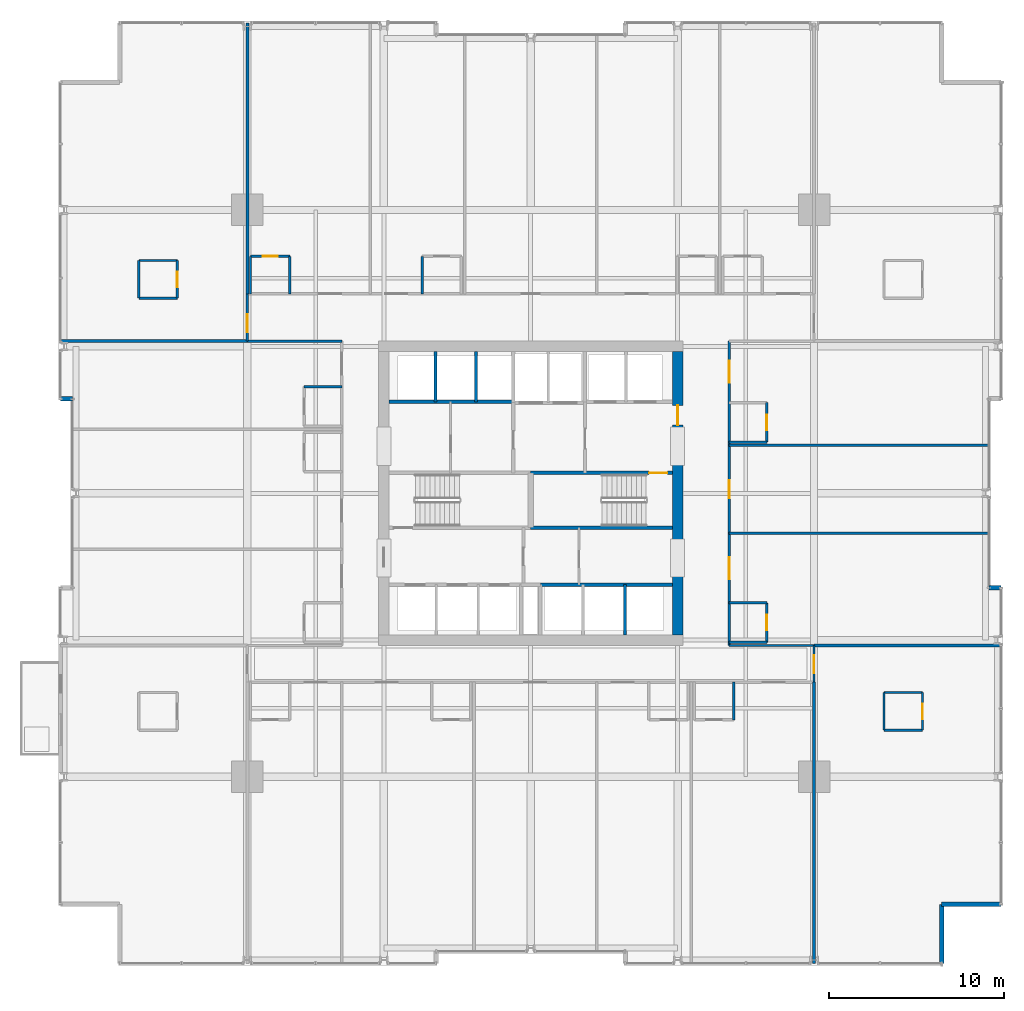
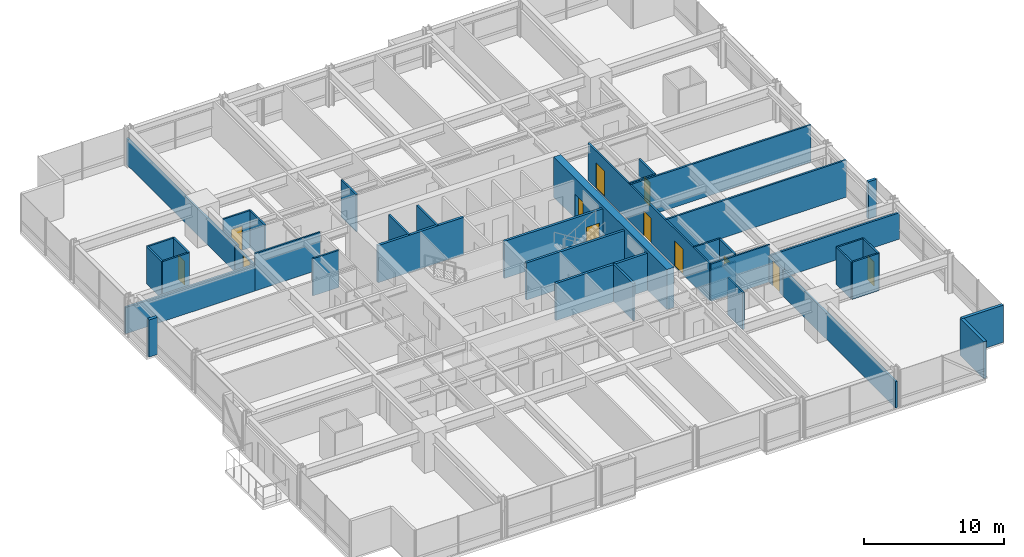
# One storey, part 32 of 39: 42 walls, 12 doors, 12 openings.
"""IFC4 building model written with IfcOpenShell, lengths in metres."""

from ifc_helpers import new_model, si_unit, direction, frame, frame_2d, origin, place, context, subcontext, project, spatial, rectangle, extrude, material, layer, layer_set, type_object, element, fill, save


model = new_model("IFC4")

# Units and contexts
model_context = context("Model", 3, precision=1e-05, world=origin(), true_north=direction((0.0, 1.0)))
body_context = subcontext(model_context, "Body", "Model", "MODEL_VIEW")
ifc_project = project(units=[si_unit("LENGTHUNIT", "METRE"), si_unit("AREAUNIT", "SQUARE_METRE"), si_unit("VOLUMEUNIT", "CUBIC_METRE"), si_unit("PLANEANGLEUNIT", "RADIAN"), si_unit("MASSUNIT", "GRAM", prefix="KILO")], contexts=[model_context])

# Site, building, storey
site_placement = place(None, origin())
site = spatial("IfcSite", under=ifc_project, at=site_placement, CompositionType="ELEMENT")
building_placement = place(site_placement, origin())
building = spatial("IfcBuilding", under=site, at=building_placement, Name="Drelvath Grand Hotel", CompositionType="ELEMENT")
storey_placement = place(building_placement, frame((0.0, 0.0, 54.199951171875)))
storey = spatial("IfcBuildingStorey", under=building, at=storey_placement, Name="L12", CompositionType="ELEMENT", Elevation=54.199951171875)

# Walls
ifc_material_1 = material(Name="Concrete C40/50", Category="concrete")
ifc_layer_1 = layer(ifc_material_1, 0.199951171875)
ifc_layer_set_1 = layer_set([ifc_layer_1], Name="Concrete C40/50")
wall_type_1 = type_object("IfcWallType", Name="Core Hoistway Fire Wall 200", PredefinedType="SOLIDWALL", material=ifc_layer_set_1)
wall_1_placement = place(storey_placement, frame((-8.10009765625, 32.219970703125, 0.0), z_axis=(0.0, 0.0, 1.0), x_axis=(1.0, 0.0, 0.0)))
element("IfcWall", 1, at=wall_1_placement, inside=storey, type_object=wall_type_1, Name="L12 Bank 3 Hoistway Wall", PredefinedType="SOLIDWALL", context=body_context, shape_type="SweptSolid", body=[
    extrude(rectangle(XDim=7.10009765625, YDim=0.199951171875, at=frame_2d((3.550048828125, 0.0))), origin(), (0.0, 0.0, 1.0), 3.239990234375),
])
wall_2_placement = place(storey_placement, frame((8.10009765625, 21.780029296875, 0.0), z_axis=(0.0, 0.0, 1.0), x_axis=(-1.0, 0.0, 0.0)))
element("IfcWall", 2, at=wall_2_placement, inside=storey, type_object=wall_type_1, Name="L12 Bank 2 Hoistway Wall", PredefinedType="SOLIDWALL", context=body_context, shape_type="SweptSolid", body=[
    extrude(rectangle(XDim=7.550048828125, YDim=0.199951171875, at=frame_2d((3.77490234375, 0.0))), origin(), (0.0, 0.0, 1.0), 3.239990234375),
])
ifc_layer_2 = layer(ifc_material_1, 0.199951171875)
ifc_layer_set_2 = layer_set([ifc_layer_2], Name="Concrete C40/50")
wall_type_2 = type_object("IfcWallType", Name="Core Shaft Fire Wall 200", PredefinedType="SOLIDWALL", material=ifc_layer_set_2)
wall_3_placement = place(storey_placement, frame((0.0, 25.0400390625, 0.0), z_axis=(0.0, 0.0, 1.0), x_axis=(1.0, 0.0, 0.0)))
element("IfcWall", 3, at=wall_3_placement, inside=storey, type_object=wall_type_2, Name="L12 Stair ST-2 South Wall", PredefinedType="SOLIDWALL", context=body_context, shape_type="SweptSolid", body=[
    extrude(rectangle(XDim=8.10009765625, YDim=0.199951171875, at=frame_2d((4.050048828125, 0.0))), origin(), (0.0, 0.0, 1.0), 3.239990234375),
])

# Wall, opening, door
wall_4_placement = place(storey_placement, frame((8.10009765625, 28.159912109375, 0.0), z_axis=(0.0, 0.0, 1.0), x_axis=(-1.0, 0.0, 0.0)))
wall_4 = element("IfcWall", 4, at=wall_4_placement, inside=storey, type_object=wall_type_2, Name="L12 Stair ST-2 North Wall", PredefinedType="SOLIDWALL", context=body_context, shape_type="SweptSolid", body=[
    extrude(rectangle(XDim=8.10009765625, YDim=0.199951171875, at=frame_2d((4.050048828125, 0.0))), origin(), (0.0, 0.0, 1.0), 3.239990234375),
])
opening_1_placement = place(wall_4_placement, frame((0.280029296875, 0.0, 0.0)))
opening_1 = element("IfcOpeningElement", 5, at=opening_1_placement, cuts=wall_4, Name="Opening D-T1G3-002", PredefinedType="OPENING", context=body_context, shape_type="SweptSolid", body=[
    extrude(rectangle(XDim=1.050048828125, YDim=2.10009765625, at=frame_2d((0.52490234375, 1.050048828125))), frame((0.0, 0.10986328125, 0.0), z_axis=(0.0, -1.0, 0.0), x_axis=(1.0, 0.0, 0.0)), (0.0, 0.0, 1.0), 0.219970703125),
])
ifc_material_2 = material(Name="Painted Steel S275", Category="steel")
door_type_1 = type_object("IfcDoorType", Name="Tower Stairwell Fire Door 1050x2100", OperationType="NOTDEFINED", PredefinedType="DOOR", material=ifc_material_2)
door_1_placement = place(opening_1_placement, origin())
door_1 = element("IfcDoor", 6, at=door_1_placement, inside=storey, type_object=door_type_1, Name="L12 Exit Stair ST-2 Door", OperationType="SINGLE_SWING_LEFT", OverallHeight=2.10009765625, OverallWidth=1.050048828125, PredefinedType="DOOR", context=body_context, shape_type="SweptSolid", body=[
    extrude(rectangle(XDim=1.050048828125, YDim=2.10009765625, at=frame_2d((0.52490234375, 1.050048828125))), frame((0.0, 0.02490234375, 0.0), z_axis=(0.0, -1.0, 0.0), x_axis=(1.0, 0.0, 0.0)), (0.0, 0.0, 1.0), 0.050048828125),
])
fill(opening_1, door_1)

# Walls
ifc_material_3 = material(Name="Gypsum Fireboard Partition")
ifc_layer_3 = layer(ifc_material_3, 0.1650390625)
ifc_layer_set_3 = layer_set([ifc_layer_3], Name="Gypsum Fireboard Partition")
wall_type_3 = type_object("IfcWallType", Name="Core Shaft Partition 165", PredefinedType="PARTITIONING", material=ifc_layer_set_3)
for number, where, z_axis, x_axis, name in (
    (7, (-5.43994140625, 32.219970703125, 0.0), (0.0, 0.0, 1.0), (0.0, 1.0, 0.0), "L12 Lift PE-7/8 Divider"),
    (8, (-3.1201171875, 32.219970703125, 0.0), (0.0, 0.0, 1.0), (0.0, 1.0, 0.0), "L12 Lift PE-8/9 Divider"),
    (9, (5.39990234375, 18.89990234375, 0.0), (0.0, 0.0, 1.0), (0.0, 1.0, 0.0), "L12 Lift PE-5/6 Divider"),
):
    element("IfcWall", number, at=place(storey_placement, frame(where, z_axis=z_axis, x_axis=x_axis)), inside=storey, type_object=wall_type_3, Name=name, PredefinedType="PARTITIONING", context=body_context, shape_type="SweptSolid", body=[
        extrude(rectangle(XDim=2.880126953125, YDim=0.1650390625, at=frame_2d((1.43994140625, 0.0))), origin(), (0.0, 0.0, 1.0), 3.239990234375),
    ])
ifc_layer_4 = layer(ifc_material_3, 0.135009765625)
ifc_layer_set_4 = layer_set([ifc_layer_4], Name="Gypsum Fireboard Partition")
wall_type_4 = type_object("IfcWallType", Name="Corridor Fire Barrier Wall 135", PredefinedType="PARTITIONING", material=ifc_layer_set_4)
wall_5_placement = place(storey_placement, frame((11.35009765625, 18.300048828125, 0.0), z_axis=(0.0, 0.0, 1.0), x_axis=(1.0, 0.0, 0.0)))
element("IfcWall", 10, at=wall_5_placement, inside=storey, type_object=wall_type_4, Name="L12 SE Spur Inner Wall", PredefinedType="PARTITIONING", context=body_context, shape_type="SweptSolid", body=[
    extrude(rectangle(XDim=4.849853515625, YDim=0.135009765625, at=frame_2d((2.4248046875, 0.0))), origin(), (0.0, 0.0, 1.0), 3.239990234375),
])
wall_6_placement = place(storey_placement, frame((-16.199951171875, 35.699951171875, 0.0), z_axis=(0.0, 0.0, 1.0), x_axis=(1.0, 0.0, 0.0)))
element("IfcWall", 11, at=wall_6_placement, inside=storey, type_object=wall_type_4, Name="L12 NW Spur Inner Wall", PredefinedType="PARTITIONING", context=body_context, shape_type="SweptSolid", body=[
    extrude(rectangle(XDim=5.39990234375, YDim=0.135009765625, at=frame_2d((2.699951171875, 0.0))), origin(), (0.0, 0.0, 1.0), 3.239990234375),
])

# Wall, openings, doors
wall_7_placement = place(storey_placement, frame((11.35009765625, 18.300048828125, 0.0), z_axis=(0.0, 0.0, 1.0), x_axis=(0.0, 1.0, 0.0)))
wall_7 = element("IfcWall", 12, at=wall_7_placement, inside=storey, type_object=wall_type_4, Name="L12 East Corridor Wall", PredefinedType="PARTITIONING", context=body_context, shape_type="SweptSolid", body=[
    extrude(rectangle(XDim=17.39990234375, YDim=0.135009765625, at=frame_2d((8.699951171875, 0.0))), origin(), (0.0, 0.0, 1.0), 3.239990234375),
])
opening_2_placement = place(wall_7_placement, frame((3.790283203125, 0.0, 0.0)))
opening_2 = element("IfcOpeningElement", 13, at=opening_2_placement, cuts=wall_7, Name="Opening D-T1G3-050", PredefinedType="OPENING", context=body_context, shape_type="SweptSolid", body=[
    extrude(rectangle(XDim=1.260009765625, YDim=2.199951171875, at=frame_2d((0.6298828125, 1.10009765625))), frame((0.0, 0.077392578125, 0.0), z_axis=(0.0, -1.0, 0.0), x_axis=(1.0, 0.0, 0.0)), (0.0, 0.0, 1.0), 0.155029296875),
])
opening_3_placement = place(wall_7_placement, frame((8.4189453125, 0.0, 0.0)))
opening_3 = element("IfcOpeningElement", 14, at=opening_3_placement, cuts=wall_7, Name="Opening D-T1G3-051", PredefinedType="OPENING", context=body_context, shape_type="SweptSolid", body=[
    extrude(rectangle(XDim=1.02001953125, YDim=2.14990234375, at=frame_2d((0.510009765625, 1.074951171875))), frame((0.0, 0.077392578125, 0.0), z_axis=(0.0, -1.0, 0.0), x_axis=(1.0, 0.0, 0.0)), (0.0, 0.0, 1.0), 0.155029296875),
])
opening_4_placement = place(wall_7_placement, frame((15.0087890625, 0.0, 0.0)))
opening_4 = element("IfcOpeningElement", 15, at=opening_4_placement, cuts=wall_7, Name="Opening D-T1G3-053", PredefinedType="OPENING", context=body_context, shape_type="SweptSolid", body=[
    extrude(rectangle(XDim=1.260009765625, YDim=2.199951171875, at=frame_2d((0.6298828125, 1.10009765625))), frame((0.0, 0.077392578125, 0.0), z_axis=(0.0, -1.0, 0.0), x_axis=(1.0, 0.0, 0.0)), (0.0, 0.0, 1.0), 0.155029296875),
])
ifc_material_4 = material(Name="Hardwood Walnut Timber", Category="wood")
door_type_2 = type_object("IfcDoorType", Name="Amenity Meeting Fire Door 1020x2150", OperationType="NOTDEFINED", PredefinedType="DOOR", material=ifc_material_4)
door_2_placement = place(opening_3_placement, origin())
door_2 = element("IfcDoor", 16, at=door_2_placement, inside=storey, type_object=door_type_2, Name="L12 Quiet Reading Library Entry Door", OperationType="SINGLE_SWING_RIGHT", OverallHeight=2.14990234375, OverallWidth=1.02001953125, PredefinedType="DOOR", context=body_context, shape_type="SweptSolid", body=[
    extrude(rectangle(XDim=1.02001953125, YDim=2.14990234375, at=frame_2d((0.510009765625, 1.074951171875))), frame((0.0, 0.02490234375, 0.0), z_axis=(0.0, -1.0, 0.0), x_axis=(1.0, 0.0, 0.0)), (0.0, 0.0, 1.0), 0.050048828125),
])
fill(opening_3, door_2)
door_type_3 = type_object("IfcDoorType", Name="Suite Entrance Fire Door 1260x2200", OperationType="NOTDEFINED", PredefinedType="DOOR", material=ifc_material_4)
door_3_placement = place(opening_2_placement, origin())
door_3 = element("IfcDoor", 17, at=door_3_placement, inside=storey, type_object=door_type_3, Name="L12 Corner Suite Entry Door", OperationType="SINGLE_SWING_LEFT", OverallHeight=2.199951171875, OverallWidth=1.260009765625, PredefinedType="DOOR", context=body_context, shape_type="SweptSolid", body=[
    extrude(rectangle(XDim=1.260009765625, YDim=2.199951171875, at=frame_2d((0.6298828125, 1.10009765625))), frame((0.0, 0.02490234375, 0.0), z_axis=(0.0, -1.0, 0.0), x_axis=(1.0, 0.0, 0.0)), (0.0, 0.0, 1.0), 0.050048828125),
])
fill(opening_2, door_3)
door_4_placement = place(opening_4_placement, origin())
door_4 = element("IfcDoor", 18, at=door_4_placement, inside=storey, type_object=door_type_3, Name="L12 Corner Suite Entry Door", OperationType="SINGLE_SWING_RIGHT", OverallHeight=2.199951171875, OverallWidth=1.260009765625, PredefinedType="DOOR", context=body_context, shape_type="SweptSolid", body=[
    extrude(rectangle(XDim=1.260009765625, YDim=2.199951171875, at=frame_2d((0.6298828125, 1.10009765625))), frame((0.0, 0.02490234375, 0.0), z_axis=(0.0, -1.0, 0.0), x_axis=(1.0, 0.0, 0.0)), (0.0, 0.0, 1.0), 0.050048828125),
])
fill(opening_4, door_4)

# Wall, opening, door
wall_8_placement = place(storey_placement, frame((16.199951171875, 16.199951171875, 0.0), z_axis=(0.0, 0.0, 1.0), x_axis=(0.0, 1.0, 0.0)))
wall_8 = element("IfcWall", 19, at=wall_8_placement, inside=storey, type_object=wall_type_4, Name="L12 South Corridor East End", PredefinedType="PARTITIONING", context=body_context, shape_type="SweptSolid", body=[
    extrude(rectangle(XDim=2.10009765625, YDim=0.135009765625, at=frame_2d((1.050048828125, 0.0))), origin(), (0.0, 0.0, 1.0), 2.29833984375),
])
opening_5_placement = place(wall_8_placement, frame((0.52001953125, 0.0, 0.0)))
opening_5 = element("IfcOpeningElement", 20, at=opening_5_placement, cuts=wall_8, Name="Opening D-T1G3-020", PredefinedType="OPENING", context=body_context, shape_type="SweptSolid", body=[
    extrude(rectangle(XDim=1.02001953125, YDim=2.14990234375, at=frame_2d((0.510009765625, 1.074951171875))), frame((0.0, 0.077392578125, 0.0), z_axis=(0.0, -1.0, 0.0), x_axis=(1.0, 0.0, 0.0)), (0.0, 0.0, 1.0), 0.155029296875),
])
door_5_placement = place(opening_5_placement, origin())
door_5 = element("IfcDoor", 21, at=door_5_placement, inside=storey, type_object=door_type_2, Name="L12 Corner Suite Entry Door", OperationType="SINGLE_SWING_LEFT", OverallHeight=2.14990234375, OverallWidth=1.02001953125, PredefinedType="DOOR", context=body_context, shape_type="SweptSolid", body=[
    extrude(rectangle(XDim=1.02001953125, YDim=2.14990234375, at=frame_2d((0.510009765625, 1.074951171875))), frame((0.0, 0.02490234375, 0.0), z_axis=(0.0, -1.0, 0.0), x_axis=(1.0, 0.0, 0.0)), (0.0, 0.0, 1.0), 0.050048828125),
])
fill(opening_5, door_5)

wall_9_placement = place(storey_placement, frame((-16.199951171875, 35.699951171875, 0.0), z_axis=(0.0, 0.0, 1.0), x_axis=(0.0, 1.0, 0.0)))
wall_9 = element("IfcWall", 22, at=wall_9_placement, inside=storey, type_object=wall_type_4, Name="L12 North Corridor West End", PredefinedType="PARTITIONING", context=body_context, shape_type="SweptSolid", body=[
    extrude(rectangle(XDim=2.699951171875, YDim=0.135009765625, at=frame_2d((1.35009765625, 0.0))), origin(), (0.0, 0.0, 1.0), 2.29833984375),
])
opening_6_placement = place(wall_9_placement, frame((0.52001953125, 0.0, 0.0)))
opening_6 = element("IfcOpeningElement", 23, at=opening_6_placement, cuts=wall_9, Name="Opening D-T1G3-022", PredefinedType="OPENING", context=body_context, shape_type="SweptSolid", body=[
    extrude(rectangle(XDim=1.02001953125, YDim=2.14990234375, at=frame_2d((0.510009765625, 1.074951171875))), frame((0.0, 0.077392578125, 0.0), z_axis=(0.0, -1.0, 0.0), x_axis=(1.0, 0.0, 0.0)), (0.0, 0.0, 1.0), 0.155029296875),
])
door_6_placement = place(opening_6_placement, origin())
door_6 = element("IfcDoor", 24, at=door_6_placement, inside=storey, type_object=door_type_2, Name="L12 Corner Suite Entry Door", OperationType="SINGLE_SWING_LEFT", OverallHeight=2.14990234375, OverallWidth=1.02001953125, PredefinedType="DOOR", context=body_context, shape_type="SweptSolid", body=[
    extrude(rectangle(XDim=1.02001953125, YDim=2.14990234375, at=frame_2d((0.510009765625, 1.074951171875))), frame((0.0, 0.02490234375, 0.0), z_axis=(0.0, -1.0, 0.0), x_axis=(1.0, 0.0, 0.0)), (0.0, 0.0, 1.0), 0.050048828125),
])
fill(opening_6, door_6)

# Walls
ifc_material_5 = material(Name="Moisture-Resistant Gypsum Board")
ifc_layer_5 = layer(ifc_material_5, 0.139892578125)
ifc_layer_set_5 = layer_set([ifc_layer_5], Name="Moisture-Resistant Gypsum Board")
wall_type_5 = type_object("IfcWallType", Name="En-Suite Plumbing Wall 140", PredefinedType="PLUMBINGWALL", material=ifc_layer_set_5)
for number, where, z_axis, x_axis, name in (
    (25, (20.199951171875, 13.4599609375, 0.0), (0.0, 0.0, 1.0), (1.0, 0.0, 0.0), "L12 Corner En-Suite South"),
    (26, (20.199951171875, 15.610107421875, 0.0), (0.0, 0.0, 1.0), (1.0, 0.0, 0.0), "L12 Corner En-Suite North"),
):
    element("IfcWall", number, at=place(storey_placement, frame(where, z_axis=z_axis, x_axis=x_axis)), inside=storey, type_object=wall_type_5, Name=name, PredefinedType="PLUMBINGWALL", context=body_context, shape_type="SweptSolid", body=[
        extrude(rectangle(XDim=2.199951171875, YDim=0.139892578125, at=frame_2d((1.10009765625, 0.0))), origin(), (0.0, 0.0, 1.0), 3.239990234375),
    ])
wall_10_placement = place(storey_placement, frame((20.199951171875, 13.4599609375, 0.0), z_axis=(0.0, 0.0, 1.0), x_axis=(0.0, 1.0, 0.0)))
element("IfcWall", 27, at=wall_10_placement, inside=storey, type_object=wall_type_5, Name="L12 Corner En-Suite West", PredefinedType="PLUMBINGWALL", context=body_context, shape_type="SweptSolid", body=[
    extrude(rectangle(XDim=2.150146484375, YDim=0.139892578125, at=frame_2d((1.0751953125, 0.0))), origin(), (0.0, 0.0, 1.0), 3.239990234375),
])

# Wall, opening, door
wall_11_placement = place(storey_placement, frame((22.39990234375, 13.4599609375, 0.0), z_axis=(0.0, 0.0, 1.0), x_axis=(0.0, 1.0, 0.0)))
wall_11 = element("IfcWall", 28, at=wall_11_placement, inside=storey, type_object=wall_type_5, Name="L12 Corner En-Suite East", PredefinedType="PLUMBINGWALL", context=body_context, shape_type="SweptSolid", body=[
    extrude(rectangle(XDim=2.150146484375, YDim=0.139892578125, at=frame_2d((1.0751953125, 0.0))), origin(), (0.0, 0.0, 1.0), 3.239990234375),
])
opening_7_placement = place(wall_11_placement, frame((0.6201171875, 0.0, 0.0)))
opening_7 = element("IfcOpeningElement", 29, at=opening_7_placement, cuts=wall_11, Name="Opening D-T1G3-019", PredefinedType="OPENING", context=body_context, shape_type="SweptSolid", body=[
    extrude(rectangle(XDim=0.8798828125, YDim=2.10009765625, at=frame_2d((0.43994140625, 1.050048828125))), frame((0.0, 0.079833984375, 0.0), z_axis=(0.0, -1.0, 0.0), x_axis=(1.0, 0.0, 0.0)), (0.0, 0.0, 1.0), 0.159912109375),
])
door_type_4 = type_object("IfcDoorType", Name="En-Suite Bathroom Door 880x2100", OperationType="NOTDEFINED", PredefinedType="DOOR", material=ifc_material_4)
door_7_placement = place(opening_7_placement, origin())
door_7 = element("IfcDoor", 30, at=door_7_placement, inside=storey, type_object=door_type_4, Name="L12 Corner En-Suite Door", OperationType="SINGLE_SWING_RIGHT", OverallHeight=2.10009765625, OverallWidth=0.8798828125, PredefinedType="DOOR", context=body_context, shape_type="SweptSolid", body=[
    extrude(rectangle(XDim=0.8798828125, YDim=2.10009765625, at=frame_2d((0.43994140625, 1.050048828125))), frame((0.0, 0.02490234375, 0.0), z_axis=(0.0, -1.0, 0.0), x_axis=(1.0, 0.0, 0.0)), (0.0, 0.0, 1.0), 0.050048828125),
])
fill(opening_7, door_7)

# Walls
for number, where, z_axis, x_axis, name in (
    (31, (-22.39990234375, 38.159912109375, 0.0), (0.0, 0.0, 1.0), (1.0, 0.0, 0.0), "L12 Corner En-Suite South"),
    (32, (-22.39990234375, 40.31005859375, 0.0), (0.0, 0.0, 1.0), (1.0, 0.0, 0.0), "L12 Corner En-Suite North"),
):
    element("IfcWall", number, at=place(storey_placement, frame(where, z_axis=z_axis, x_axis=x_axis)), inside=storey, type_object=wall_type_5, Name=name, PredefinedType="PLUMBINGWALL", context=body_context, shape_type="SweptSolid", body=[
        extrude(rectangle(XDim=2.199951171875, YDim=0.139892578125, at=frame_2d((1.10009765625, 0.0))), origin(), (0.0, 0.0, 1.0), 3.239990234375),
    ])
wall_12_placement = place(storey_placement, frame((-22.39990234375, 38.159912109375, 0.0), z_axis=(0.0, 0.0, 1.0), x_axis=(0.0, 1.0, 0.0)))
element("IfcWall", 33, at=wall_12_placement, inside=storey, type_object=wall_type_5, Name="L12 Corner En-Suite West", PredefinedType="PLUMBINGWALL", context=body_context, shape_type="SweptSolid", body=[
    extrude(rectangle(XDim=2.150146484375, YDim=0.139892578125, at=frame_2d((1.0751953125, 0.0))), origin(), (0.0, 0.0, 1.0), 3.239990234375),
])

# Wall, opening, door
wall_13_placement = place(storey_placement, frame((-20.199951171875, 38.159912109375, 0.0), z_axis=(0.0, 0.0, 1.0), x_axis=(0.0, 1.0, 0.0)))
wall_13 = element("IfcWall", 34, at=wall_13_placement, inside=storey, type_object=wall_type_5, Name="L12 Corner En-Suite East", PredefinedType="PLUMBINGWALL", context=body_context, shape_type="SweptSolid", body=[
    extrude(rectangle(XDim=2.150146484375, YDim=0.139892578125, at=frame_2d((1.0751953125, 0.0))), origin(), (0.0, 0.0, 1.0), 3.239990234375),
])
opening_8_placement = place(wall_13_placement, frame((0.6201171875, 0.0, 0.0)))
opening_8 = element("IfcOpeningElement", 35, at=opening_8_placement, cuts=wall_13, Name="Opening D-T1G3-021", PredefinedType="OPENING", context=body_context, shape_type="SweptSolid", body=[
    extrude(rectangle(XDim=0.8798828125, YDim=2.10009765625, at=frame_2d((0.43994140625, 1.050048828125))), frame((0.0, 0.079833984375, 0.0), z_axis=(0.0, -1.0, 0.0), x_axis=(1.0, 0.0, 0.0)), (0.0, 0.0, 1.0), 0.159912109375),
])
door_8_placement = place(opening_8_placement, origin())
door_8 = element("IfcDoor", 36, at=door_8_placement, inside=storey, type_object=door_type_4, Name="L12 Corner En-Suite Door", OperationType="SINGLE_SWING_RIGHT", OverallHeight=2.10009765625, OverallWidth=0.8798828125, PredefinedType="DOOR", context=body_context, shape_type="SweptSolid", body=[
    extrude(rectangle(XDim=0.8798828125, YDim=2.10009765625, at=frame_2d((0.43994140625, 1.050048828125))), frame((0.0, 0.02490234375, 0.0), z_axis=(0.0, -1.0, 0.0), x_axis=(1.0, 0.0, 0.0)), (0.0, 0.0, 1.0), 0.050048828125),
])
fill(opening_8, door_8)

# Walls
wall_14_placement = place(storey_placement, frame((11.610107421875, 16.199951171875, 0.0), z_axis=(0.0, 0.0, 1.0), x_axis=(0.0, -1.0, 0.0)))
element("IfcWall", 37, at=wall_14_placement, inside=storey, type_object=wall_type_5, Name="L12 En-Suite Right Wall", PredefinedType="PLUMBINGWALL", context=body_context, shape_type="SweptSolid", body=[
    extrude(rectangle(XDim=2.14990234375, YDim=0.139892578125, at=frame_2d((1.074951171875, 0.0))), origin(), (0.0, 0.0, 1.0), 3.239990234375),
])
wall_15_placement = place(storey_placement, frame((-16.02001953125, 38.39990234375, 0.0), z_axis=(0.0, 0.0, 1.0), x_axis=(0.0, 1.0, 0.0)))
element("IfcWall", 38, at=wall_15_placement, inside=storey, type_object=wall_type_5, Name="L12 En-Suite Left Wall", PredefinedType="PLUMBINGWALL", context=body_context, shape_type="SweptSolid", body=[
    extrude(rectangle(XDim=2.150146484375, YDim=0.139892578125, at=frame_2d((1.0751953125, 0.0))), origin(), (0.0, 0.0, 1.0), 2.29833984375),
])
wall_16_placement = place(storey_placement, frame((-13.77001953125, 38.39990234375, 0.0), z_axis=(0.0, 0.0, 1.0), x_axis=(0.0, 1.0, 0.0)))
element("IfcWall", 39, at=wall_16_placement, inside=storey, type_object=wall_type_5, Name="L12 En-Suite Right Wall", PredefinedType="PLUMBINGWALL", context=body_context, shape_type="SweptSolid", body=[
    extrude(rectangle(XDim=2.150146484375, YDim=0.139892578125, at=frame_2d((1.0751953125, 0.0))), origin(), (0.0, 0.0, 1.0), 3.239990234375),
])

# Wall, opening, door
wall_17_placement = place(storey_placement, frame((-16.02001953125, 40.550048828125, 0.0), z_axis=(0.0, 0.0, 1.0), x_axis=(1.0, 0.0, 0.0)))
wall_17 = element("IfcWall", 40, at=wall_17_placement, inside=storey, type_object=wall_type_5, Name="L12 En-Suite Front Wall", PredefinedType="PLUMBINGWALL", context=body_context, shape_type="SweptSolid", body=[
    extrude(rectangle(XDim=2.25, YDim=0.139892578125, at=frame_2d((1.125, 0.0))), origin(), (0.0, 0.0, 1.0), 3.239990234375),
])
opening_9_placement = place(wall_17_placement, frame((0.68505859375, 0.0, 0.0)))
opening_9 = element("IfcOpeningElement", 41, at=opening_9_placement, cuts=wall_17, Name="Opening D-T1G3-034", PredefinedType="OPENING", context=body_context, shape_type="SweptSolid", body=[
    extrude(rectangle(XDim=0.8798828125, YDim=2.10009765625, at=frame_2d((0.43994140625, 1.050048828125))), frame((0.0, 0.079833984375, 0.0), z_axis=(0.0, -1.0, 0.0), x_axis=(1.0, 0.0, 0.0)), (0.0, 0.0, 1.0), 0.159912109375),
])
door_9_placement = place(opening_9_placement, origin())
door_9 = element("IfcDoor", 42, at=door_9_placement, inside=storey, type_object=door_type_4, Name="L12 En-Suite Bathroom Door", OperationType="SINGLE_SWING_LEFT", OverallHeight=2.10009765625, OverallWidth=0.8798828125, PredefinedType="DOOR", context=body_context, shape_type="SweptSolid", body=[
    extrude(rectangle(XDim=0.8798828125, YDim=2.10009765625, at=frame_2d((0.43994140625, 1.050048828125))), frame((0.0, 0.02490234375, 0.0), z_axis=(0.0, -1.0, 0.0), x_axis=(1.0, 0.0, 0.0)), (0.0, 0.0, 1.0), 0.050048828125),
])
fill(opening_9, door_9)

# Walls
wall_18_placement = place(storey_placement, frame((-6.2099609375, 38.39990234375, 0.0), z_axis=(0.0, 0.0, 1.0), x_axis=(0.0, 1.0, 0.0)))
element("IfcWall", 43, at=wall_18_placement, inside=storey, type_object=wall_type_5, Name="L12 En-Suite Left Wall", PredefinedType="PLUMBINGWALL", context=body_context, shape_type="SweptSolid", body=[
    extrude(rectangle(XDim=2.150146484375, YDim=0.139892578125, at=frame_2d((1.0751953125, 0.0))), origin(), (0.0, 0.0, 1.0), 3.239990234375),
])
wall_19_placement = place(storey_placement, frame((-10.800048828125, 33.09326171875, 0.0), z_axis=(0.0, 0.0, 1.0), x_axis=(-1.0, 0.0, 0.0)))
element("IfcWall", 44, at=wall_19_placement, inside=storey, type_object=wall_type_5, Name="L12 En-Suite Right Wall", PredefinedType="PLUMBINGWALL", context=body_context, shape_type="SweptSolid", body=[
    extrude(rectangle(XDim=2.14990234375, YDim=0.139892578125, at=frame_2d((1.074951171875, 0.0))), origin(), (0.0, 0.0, 1.0), 3.239990234375),
])
wall_20_placement = place(storey_placement, frame((11.35009765625, 18.47998046875, 0.0), z_axis=(0.0, 0.0, 1.0), x_axis=(1.0, 0.0, 0.0)))
element("IfcWall", 45, at=wall_20_placement, inside=storey, type_object=wall_type_5, Name="L12 En-Suite Left Wall", PredefinedType="PLUMBINGWALL", context=body_context, shape_type="SweptSolid", body=[
    extrude(rectangle(XDim=2.14990234375, YDim=0.139892578125, at=frame_2d((1.074951171875, 0.0))), origin(), (0.0, 0.0, 1.0), 2.617431640625),
])
wall_21_placement = place(storey_placement, frame((11.35009765625, 20.72998046875, 0.0), z_axis=(0.0, 0.0, 1.0), x_axis=(1.0, 0.0, 0.0)))
element("IfcWall", 46, at=wall_21_placement, inside=storey, type_object=wall_type_5, Name="L12 En-Suite Right Wall", PredefinedType="PLUMBINGWALL", context=body_context, shape_type="SweptSolid", body=[
    extrude(rectangle(XDim=2.14990234375, YDim=0.139892578125, at=frame_2d((1.074951171875, 0.0))), origin(), (0.0, 0.0, 1.0), 3.239990234375),
])

# Wall, opening, door
wall_22_placement = place(storey_placement, frame((13.5, 18.47998046875, 0.0), z_axis=(0.0, 0.0, 1.0), x_axis=(0.0, 1.0, 0.0)))
wall_22 = element("IfcWall", 47, at=wall_22_placement, inside=storey, type_object=wall_type_5, Name="L12 En-Suite Front Wall", PredefinedType="PLUMBINGWALL", context=body_context, shape_type="SweptSolid", body=[
    extrude(rectangle(XDim=2.25, YDim=0.139892578125, at=frame_2d((1.125, 0.0))), origin(), (0.0, 0.0, 1.0), 3.239990234375),
])
opening_10_placement = place(wall_22_placement, frame((0.68505859375, 0.0, 0.0)))
opening_10 = element("IfcOpeningElement", 48, at=opening_10_placement, cuts=wall_22, Name="Opening D-T1G3-049", PredefinedType="OPENING", context=body_context, shape_type="SweptSolid", body=[
    extrude(rectangle(XDim=0.8798828125, YDim=2.10009765625, at=frame_2d((0.43994140625, 1.050048828125))), frame((0.0, 0.079833984375, 0.0), z_axis=(0.0, -1.0, 0.0), x_axis=(1.0, 0.0, 0.0)), (0.0, 0.0, 1.0), 0.159912109375),
])
door_10_placement = place(opening_10_placement, origin())
door_10 = element("IfcDoor", 49, at=door_10_placement, inside=storey, type_object=door_type_4, Name="L12 En-Suite Bathroom Door", OperationType="SINGLE_SWING_RIGHT", OverallHeight=2.10009765625, OverallWidth=0.8798828125, PredefinedType="DOOR", context=body_context, shape_type="SweptSolid", body=[
    extrude(rectangle(XDim=0.8798828125, YDim=2.10009765625, at=frame_2d((0.43994140625, 1.050048828125))), frame((0.0, 0.02490234375, 0.0), z_axis=(0.0, -1.0, 0.0), x_axis=(1.0, 0.0, 0.0)), (0.0, 0.0, 1.0), 0.050048828125),
])
fill(opening_10, door_10)

# Wall
wall_23_placement = place(storey_placement, frame((11.35009765625, 29.927490234375, 0.0), z_axis=(0.0, 0.0, 1.0), x_axis=(1.0, 0.0, 0.0)))
element("IfcWall", 50, at=wall_23_placement, inside=storey, type_object=wall_type_5, Name="L12 En-Suite Left Wall", PredefinedType="PLUMBINGWALL", context=body_context, shape_type="SweptSolid", body=[
    extrude(rectangle(XDim=2.14990234375, YDim=0.139892578125, at=frame_2d((1.074951171875, 0.0))), origin(), (0.0, 0.0, 1.0), 3.239990234375),
])

# Wall, opening, door
wall_24_placement = place(storey_placement, frame((13.5, 29.927490234375, 0.0), z_axis=(0.0, 0.0, 1.0), x_axis=(0.0, 1.0, 0.0)))
wall_24 = element("IfcWall", 51, at=wall_24_placement, inside=storey, type_object=wall_type_5, Name="L12 En-Suite Front Wall", PredefinedType="PLUMBINGWALL", context=body_context, shape_type="SweptSolid", body=[
    extrude(rectangle(XDim=2.25, YDim=0.139892578125, at=frame_2d((1.125, 0.0))), origin(), (0.0, 0.0, 1.0), 3.239990234375),
])
opening_11_placement = place(wall_24_placement, frame((0.68505859375, 0.0, 0.0)))
opening_11 = element("IfcOpeningElement", 52, at=opening_11_placement, cuts=wall_24, Name="Opening D-T1G3-052", PredefinedType="OPENING", context=body_context, shape_type="SweptSolid", body=[
    extrude(rectangle(XDim=0.8798828125, YDim=2.10009765625, at=frame_2d((0.43994140625, 1.050048828125))), frame((0.0, 0.079833984375, 0.0), z_axis=(0.0, -1.0, 0.0), x_axis=(1.0, 0.0, 0.0)), (0.0, 0.0, 1.0), 0.159912109375),
])
door_11_placement = place(opening_11_placement, origin())
door_11 = element("IfcDoor", 53, at=door_11_placement, inside=storey, type_object=door_type_4, Name="L12 En-Suite Bathroom Door", OperationType="SINGLE_SWING_LEFT", OverallHeight=2.10009765625, OverallWidth=0.8798828125, PredefinedType="DOOR", context=body_context, shape_type="SweptSolid", body=[
    extrude(rectangle(XDim=0.8798828125, YDim=2.10009765625, at=frame_2d((0.43994140625, 1.050048828125))), frame((0.0, 0.02490234375, 0.0), z_axis=(0.0, -1.0, 0.0), x_axis=(1.0, 0.0, 0.0)), (0.0, 0.0, 1.0), 0.050048828125),
])
fill(opening_11, door_11)

# Walls
ifc_material_6 = material(Name="Gypsum Acoustic Partition")
ifc_layer_6 = layer(ifc_material_6, 0.14990234375)
ifc_layer_set_6 = layer_set([ifc_layer_6], Name="Gypsum Acoustic Partition")
wall_type_6 = type_object("IfcWallType", Name="Guestroom Demising Wall 150", PredefinedType="PARTITIONING", material=ifc_layer_set_6)
for number, where, z_axis, x_axis, name in (
    (54, (11.35009765625, 24.71044921875, 0.0), (0.0, 0.0, 1.0), (1.0, 0.0, 0.0), "L12 East Demising 1"),
    (55, (11.35009765625, 29.747314453125, 0.0), (0.0, 0.0, 1.0), (1.0, 0.0, 0.0), "L12 East Demising 2"),
):
    element("IfcWall", number, at=place(storey_placement, frame(where, z_axis=z_axis, x_axis=x_axis)), inside=storey, type_object=wall_type_6, Name=name, PredefinedType="PARTITIONING", context=body_context, shape_type="SweptSolid", body=[
        extrude(rectangle(XDim=14.849853515625, YDim=0.14990234375, at=frame_2d((7.4248046875, 0.0))), origin(), (0.0, 0.0, 1.0), 3.239990234375),
    ])

# Wall, opening, door
ifc_material_7 = material(Name="Concrete f'c 70 MPa", Category="concrete")
ifc_layer_7 = layer(ifc_material_7, 0.60009765625)
ifc_layer_set_7 = layer_set([ifc_layer_7], Name="Concrete f'c 70 MPa")
wall_type_7 = type_object("IfcWallType", Name="Lower Core RC Shear Wall 600", PredefinedType="SHEAR", material=ifc_layer_set_7)
wall_25_placement = place(storey_placement, frame((8.39990234375, 35.10009765625, 0.0), z_axis=(0.0, 0.0, 1.0), x_axis=(0.0, -1.0, 0.0)))
wall_25 = element("IfcWall", 56, at=wall_25_placement, inside=storey, type_object=wall_type_7, Name="L12 Central Core Shear Wall E", PredefinedType="SHEAR", context=body_context, shape_type="SweptSolid", body=[
    extrude(rectangle(XDim=16.2001953125, YDim=0.60009765625, at=frame_2d((8.10009765625, 0.0))), origin(), (0.0, 0.0, 1.0), 3.5),
])
opening_12_placement = place(wall_25_placement, frame((3.080078125, 0.0, 0.0)))
opening_12 = element("IfcOpeningElement", 57, at=opening_12_placement, cuts=wall_25, Name="Opening D-T1G3-006", PredefinedType="OPENING", context=body_context, shape_type="SweptSolid", body=[
    extrude(rectangle(XDim=1.1201171875, YDim=2.10009765625, at=frame_2d((0.56005859375, 1.050048828125))), frame((0.0, 0.31005859375, 0.0), z_axis=(0.0, -1.0, 0.0), x_axis=(1.0, 0.0, 0.0)), (0.0, 0.0, 1.0), 0.6201171875),
])
door_type_5 = type_object("IfcDoorType", Name="FSAE Smoke Lobby Fire Door 1120x2100", OperationType="NOTDEFINED", PredefinedType="DOOR", material=ifc_material_2)
door_12_placement = place(opening_12_placement, origin())
door_12 = element("IfcDoor", 58, at=door_12_placement, inside=storey, type_object=door_type_5, Name="L12 FSAE Lobby East Corridor Door", OperationType="SINGLE_SWING_LEFT", OverallHeight=2.10009765625, OverallWidth=1.1201171875, PredefinedType="DOOR", context=body_context, shape_type="SweptSolid", body=[
    extrude(rectangle(XDim=1.1201171875, YDim=2.10009765625, at=frame_2d((0.56005859375, 1.050048828125))), frame((0.0, 0.02490234375, 0.0), z_axis=(0.0, -1.0, 0.0), x_axis=(1.0, 0.0, 0.0)), (0.0, 0.0, 1.0), 0.050048828125),
])
fill(opening_12, door_12)

# Walls
ifc_layer_8 = layer(ifc_material_6, 0.1650390625)
ifc_layer_set_8 = layer_set([ifc_layer_8], Name="Gypsum Acoustic Partition")
wall_type_8 = type_object("IfcWallType", Name="Suite Demising Wall 165", PredefinedType="PARTITIONING", material=ifc_layer_set_8)
wall_26_placement = place(storey_placement, frame((16.199951171875, 0.1201171875, 0.0), z_axis=(0.0, 0.0, 1.0), x_axis=(0.0, 1.0, 0.0)))
element("IfcWall", 59, at=wall_26_placement, inside=storey, type_object=wall_type_8, Name="L12 SE Wing Boundary Wall", PredefinedType="PARTITIONING", context=body_context, shape_type="SweptSolid", body=[
    extrude(rectangle(XDim=16.079833984375, YDim=0.1650390625, at=frame_2d((8.0400390625, 0.0))), origin(), (0.0, 0.0, 1.0), 2.29833984375),
])
wall_27_placement = place(storey_placement, frame((-16.199951171875, 38.39990234375, 0.0), z_axis=(0.0, 0.0, 1.0), x_axis=(0.0, 1.0, 0.0)))
element("IfcWall", 60, at=wall_27_placement, inside=storey, type_object=wall_type_8, Name="L12 NW Wing Boundary Wall", PredefinedType="PARTITIONING", context=body_context, shape_type="SweptSolid", body=[
    extrude(rectangle(XDim=15.47998046875, YDim=0.1650390625, at=frame_2d((7.739990234375, 0.0))), origin(), (0.0, 0.0, 1.0), 2.29833984375),
])
for number, where, z_axis, x_axis, name in (
    (61, (16.199951171875, 18.300048828125, 0.0), (0.0, 0.0, 1.0), (1.0, 0.0, 0.0), "L12 SE Corner North Wall"),
    (62, (-26.8798828125, 35.699951171875, 0.0), (0.0, 0.0, 1.0), (1.0, 0.0, 0.0), "L12 NW Corner South Wall"),
):
    element("IfcWall", number, at=place(storey_placement, frame(where, z_axis=z_axis, x_axis=x_axis)), inside=storey, type_object=wall_type_8, Name=name, PredefinedType="PARTITIONING", context=body_context, shape_type="SweptSolid", body=[
        extrude(rectangle(XDim=10.679931640625, YDim=0.1650390625, at=frame_2d((5.33984375, 0.0))), origin(), (0.0, 0.0, 1.0), 2.29833984375),
    ])
ifc_material_8 = material(Name="Pale-Metal Insulated Aluminium Spandrel Assembly", Category="aluminium")
ifc_layer_9 = layer(ifc_material_8, 0.239990234375)
ifc_layer_set_9 = layer_set([ifc_layer_9], Name="Pale-Metal Insulated Aluminium Spandrel Assembly")
wall_type_9 = type_object("IfcWallType", Name="Tower Insulated Metal Spandrel Closure Wall 240", PredefinedType="STANDARD", material=ifc_layer_set_9)
for number, where, z_axis, x_axis, name in (
    (63, (26.8798828125, 3.5, 0.0), (0.0, 0.0, 1.0), (-1.0, 0.0, 0.0), "L12 Notched Corner Return Spandrel Wall CSE1"),
    (64, (23.5, 3.5, 0.0), (0.0, 0.0, 1.0), (0.0, -1.0, 0.0), "L12 Notched Corner Return Spandrel Wall CSE2"),
):
    element("IfcWall", number, at=place(storey_placement, frame(where, z_axis=z_axis, x_axis=x_axis)), inside=storey, type_object=wall_type_9, Name=name, PredefinedType="STANDARD", context=body_context, shape_type="SweptSolid", body=[
        extrude(rectangle(XDim=3.3798828125, YDim=0.239990234375, at=frame_2d((1.68994140625, 0.0))), origin(), (0.0, 0.0, 1.0), 3.239990234375),
    ])
for number, where, z_axis, x_axis, name in (
    (65, (-26.199951171875, 32.39990234375, 0.0), (0.0, 0.0, 1.0), (-1.0, 0.0, 0.0), "L12 Notched Corner Return Spandrel Wall RW2"),
    (66, (26.199951171875, 21.60009765625, 0.0), (0.0, 0.0, 1.0), (1.0, 0.0, 0.0), "L12 Notched Corner Return Spandrel Wall RE2"),
):
    element("IfcWall", number, at=place(storey_placement, frame(where, z_axis=z_axis, x_axis=x_axis)), inside=storey, type_object=wall_type_9, Name=name, PredefinedType="STANDARD", context=body_context, shape_type="SweptSolid", body=[
        extrude(rectangle(XDim=0.679931640625, YDim=0.239990234375, at=frame_2d((0.33984375, 0.0))), origin(), (0.0, 0.0, 1.0), 3.239990234375),
    ])

save(model, "model.ifc")
